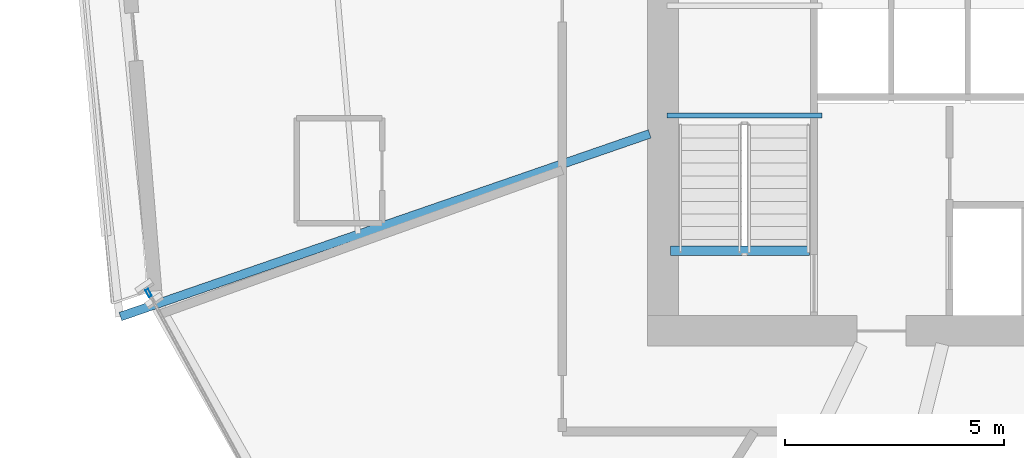
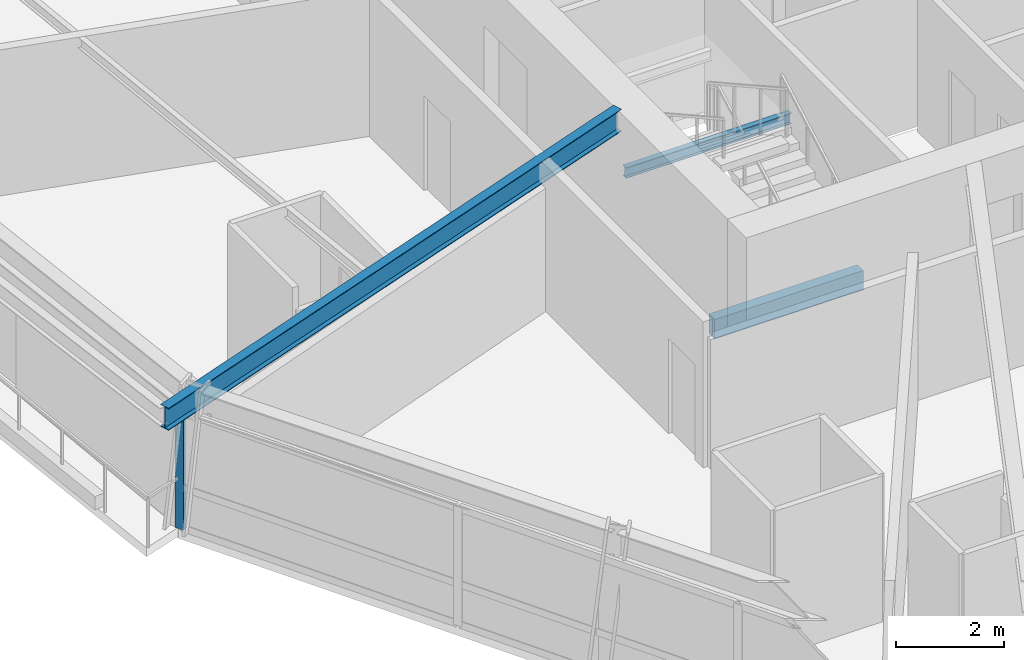
# One storey, part 5 of 21: 3 beams, 1 member, 1 element without a shape of its own.
"""IFC4 building model written with IfcOpenShell, lengths in metres."""

from ifc_helpers import new_model, si_unit, direction, frame, origin, origin_2d, place, context, subcontext, project, spatial, rectangle, hollow_rectangle, i_section, extrude, source, transform, mapped, material, material_profile, profile_set, type_object, element, aggregate, save


model = new_model("IFC4")

# Units and contexts
model_context = context("Model", 3, precision=1e-05, world=origin(), true_north=direction((0.0, 1.0)))
body_context = subcontext(model_context, "Body", "Model", "MODEL_VIEW")
ifc_project = project(units=[si_unit("LENGTHUNIT", "METRE"), si_unit("AREAUNIT", "SQUARE_METRE"), si_unit("VOLUMEUNIT", "CUBIC_METRE"), si_unit("PLANEANGLEUNIT", "RADIAN"), si_unit("MASSUNIT", "GRAM", prefix="KILO")], contexts=[model_context])

# Site, building, storey
site_placement = place(None, origin())
site = spatial("IfcSite", under=ifc_project, at=site_placement, CompositionType="ELEMENT")
building_placement = place(site_placement, origin())
building = spatial("IfcBuilding", under=site, at=building_placement, Name="Olszyna Solenne Hotel", CompositionType="ELEMENT")
storey_placement = place(building_placement, frame((0.0, 0.0, 109.25)))
storey = spatial("IfcBuildingStorey", under=building, at=storey_placement, Name="L28", CompositionType="ELEMENT", Elevation=109.25)

# Beam
ifc_material_1 = material(Name="Steel S355J2", Category="steel")
ifc_material_profile_1 = material_profile(ifc_material_1, i_section(OverallWidth=0.199951171875, OverallDepth=0.5, WebThickness=0.01025390625, FlangeThickness=0.01611328125, at=origin_2d()), Name="IPE 500", Category="load-bearing")
ifc_profile_set_1 = profile_set([ifc_material_profile_1], Name="Steel S355J2")
beam_type_1 = type_object("IfcBeamType", Name="BM-F3", PredefinedType="BEAM", material=ifc_profile_set_1)
shared_shape_1 = source(origin(), body_context, "Body", "SweptSolid", [
    extrude(i_section(OverallWidth=0.199951171875, OverallDepth=0.5, WebThickness=0.01025390625, FlangeThickness=0.01611328125, at=origin_2d()), origin(), (0.0, 0.0, 1.0), 12.794189453125),
])
beam_1_placement = place(storey_placement, frame((17.353271484375, 19.476318359375, 3.050048828125), z_axis=(0.945265454536, 0.326302345167, 0.0), x_axis=(-0.326302345167, 0.945265454536, 0.0)))
element("IfcBeam", 1, at=beam_1_placement, inside=storey, type_object=beam_type_1, Name="Radial floor girder BM-F3 B-L28-0856", PredefinedType="BEAM", context=body_context, shape_type="MappedRepresentation", body=[
    mapped(shared_shape_1, transform((0.0, 0.0, 0.0), x_axis=(1.0, 0.0, 0.0), y_axis=(0.0, 1.0, 0.0), z_axis=(0.0, 0.0, 1.0), scale=1.0)),
])

# Curtain wall, member
ifc_material_2 = material(Name="Anodised bronze aluminium", Category="aluminium")
curtain_wall_type = type_object("IfcCurtainWallType", Name="CW-SYS-3", PredefinedType="NOTDEFINED", material=ifc_material_2)
curtain_wall_placement = place(storey_placement, origin())
curtain_wall = element("IfcCurtainWall", 2, at=curtain_wall_placement, inside=storey, type_object=curtain_wall_type, Name="Unitised curtain wall CW-SYS-3 CW-L28-01", PredefinedType="NOTDEFINED")
ifc_material_profile_2 = material_profile(ifc_material_2, hollow_rectangle(XDim=0.074951171875, YDim=0.179931640625, WallThickness=0.00439453125, at=origin_2d()), Name="MULL 180x75x4.5", Category="load-bearing")
ifc_profile_set_2 = profile_set([ifc_material_profile_2], Name="Anodised bronze aluminium")
member_type = type_object("IfcMemberType", Name="CW-M2", PredefinedType="MULLION", material=ifc_profile_set_2)
shared_shape_2 = source(origin(), body_context, "Body", "SweptSolid", [
    extrude(hollow_rectangle(XDim=0.074951171875, YDim=0.179931640625, WallThickness=0.00439453125, at=origin_2d()), origin(), (0.0, 0.0, 1.0), 2.69189453125),
])
member_placement = place(storey_placement, frame((17.998046875, 20.015380859375, 0.0), z_axis=(0.0, 0.0, 1.0), x_axis=(0.876535283653, 0.481337611777, 0.0)))
member = element("IfcMember", 3, at=member_placement, type_object=member_type, Name="Curtain-wall mullion CW-M2 CM-L28-01-01", PredefinedType="MULLION", context=body_context, shape_type="MappedRepresentation", body=[
    mapped(shared_shape_2, transform((0.0, 0.0, 0.0), x_axis=(1.0, 0.0, 0.0), y_axis=(0.0, 1.0, 0.0), z_axis=(0.0, 0.0, 1.0), scale=1.0)),
])
aggregate(curtain_wall, [member])

# Beams
ifc_material_profile_3 = material_profile(ifc_material_1, i_section(OverallWidth=0.1201171875, OverallDepth=0.239990234375, WebThickness=0.006103515625, FlangeThickness=0.009765625, at=origin_2d()), Name="IPE 240", Category="load-bearing")
ifc_profile_set_3 = profile_set([ifc_material_profile_3], Name="Steel S355J2")
beam_type_2 = type_object("IfcBeamType", Name="JS-03", PredefinedType="JOIST", material=ifc_profile_set_3)
shared_shape_3 = source(origin(), body_context, "Body", "SweptSolid", [
    extrude(i_section(OverallWidth=0.1201171875, OverallDepth=0.239990234375, WebThickness=0.006103515625, FlangeThickness=0.009765625, at=origin_2d()), origin(), (0.0, 0.0, 1.0), 3.539794921875),
])
beam_2_placement = place(storey_placement, frame((33.3798828125, 24.070068359375, 1.449951171875), z_axis=(-1.0, 0.0, 0.0), x_axis=(0.0, -1.0, 0.0)))
element("IfcBeam", 4, at=beam_2_placement, inside=storey, type_object=beam_type_2, Name="Stair landing support beam JS-03 SLB-ST1-0061", PredefinedType="JOIST", context=body_context, shape_type="MappedRepresentation", body=[
    mapped(shared_shape_3, transform((0.0, 0.0, 0.0), x_axis=(1.0, 0.0, 0.0), y_axis=(0.0, 1.0, 0.0), z_axis=(0.0, 0.0, 1.0), scale=1.0)),
])
ifc_material_3 = material(Name="Concrete C50/60", Category="concrete")
ifc_material_profile_4 = material_profile(ifc_material_3, rectangle(XDim=0.219970703125, YDim=0.43994140625, at=origin_2d()), Name="RC 220x440", Category="load-bearing")
ifc_profile_set_4 = profile_set([ifc_material_profile_4], Name="Concrete C50/60")
beam_type_3 = type_object("IfcBeamType", Name="BM-ST1", PredefinedType="BEAM", material=ifc_profile_set_4)
shared_shape_4 = source(origin(), body_context, "Body", "SweptSolid", [
    extrude(rectangle(XDim=0.219970703125, YDim=0.43994140625, at=origin_2d()), origin(), (0.0, 0.0, 1.0), 3.18017578125),
])
beam_3_placement = place(storey_placement, frame((33.10009765625, 20.97998046875, -0.205078125), z_axis=(-1.0, 0.0, 0.0), x_axis=(0.0, -1.0, 0.0)))
element("IfcBeam", 5, at=beam_3_placement, inside=storey, type_object=beam_type_3, Name="Concrete stair trimmer beam BM-ST1 SHB-ST1-0190", PredefinedType="BEAM", context=body_context, shape_type="MappedRepresentation", body=[
    mapped(shared_shape_4, transform((0.0, 0.0, 0.0), x_axis=(1.0, 0.0, 0.0), y_axis=(0.0, 1.0, 0.0), z_axis=(0.0, 0.0, 1.0), scale=1.0)),
])

save(model, "model.ifc")
